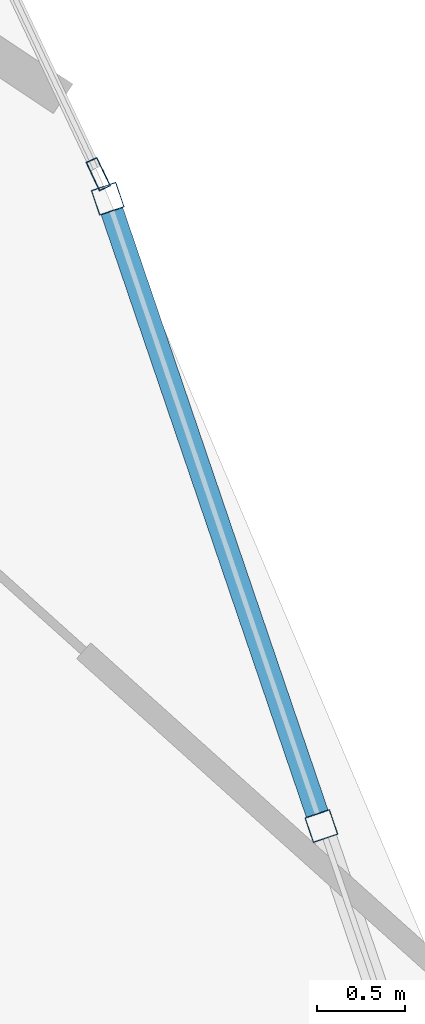
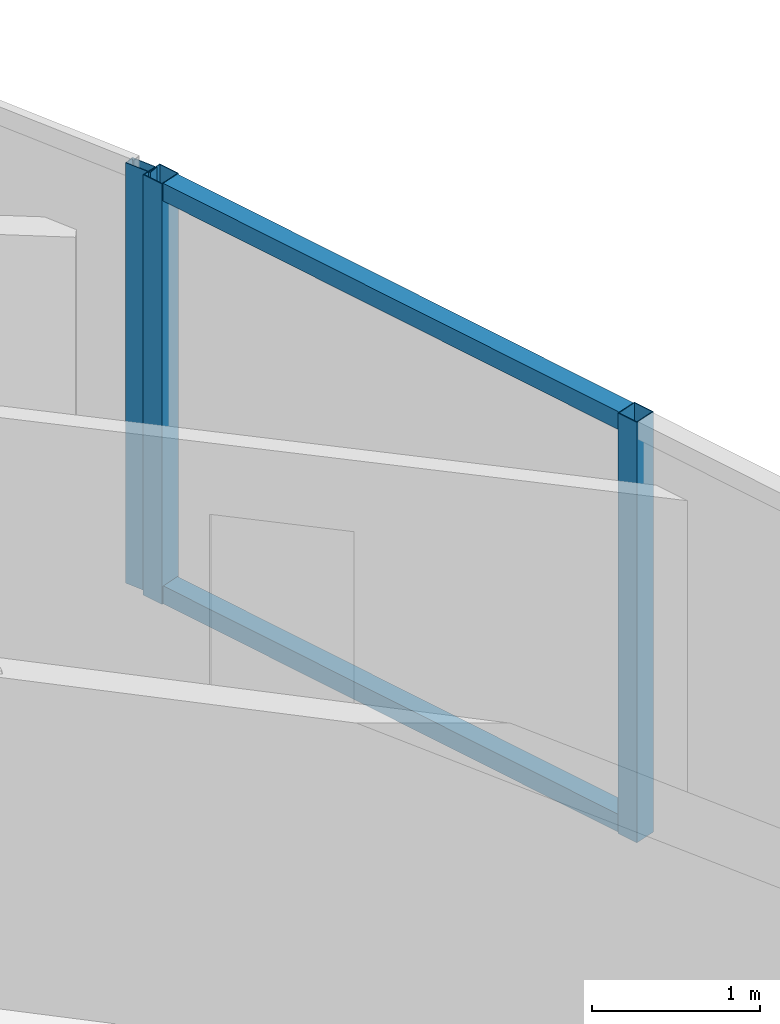
# One storey, part 15 of 33: 5 members, 2 elements without a shape of their own.
"""IFC4 building model written with IfcOpenShell, lengths in metres."""

from ifc_helpers import new_model, si_unit, direction, frame, origin, origin_2d, place, context, subcontext, project, spatial, hollow_rectangle, extrude, material, layer, layer_set, material_profile, profile_set, type_object, element, aggregate, save


model = new_model("IFC4")

# Units and contexts
model_context = context("Model", 3, precision=1e-05, world=origin(), true_north=direction((0.0, 1.0)))
body_context = subcontext(model_context, "Body", "Model", "MODEL_VIEW")
ifc_project = project(units=[si_unit("LENGTHUNIT", "METRE"), si_unit("AREAUNIT", "SQUARE_METRE"), si_unit("VOLUMEUNIT", "CUBIC_METRE"), si_unit("PLANEANGLEUNIT", "RADIAN"), si_unit("MASSUNIT", "GRAM", prefix="KILO")], contexts=[model_context])

# Site, building, storey
site_placement = place(None, origin())
site = spatial("IfcSite", under=ifc_project, at=site_placement, CompositionType="ELEMENT")
building_placement = place(site_placement, origin())
building = spatial("IfcBuilding", under=site, at=building_placement, Name="Orvanel Arch Residences", CompositionType="ELEMENT")
storey_placement = place(building_placement, frame((0.0, 0.0, 90.64990234375)))
storey = spatial("IfcBuildingStorey", under=building, at=storey_placement, Name="L25", CompositionType="ELEMENT", Elevation=90.64990234375)

# Curtain wall, members
ifc_material = material(Name="Bronze-anodised aluminium AA6063-T6", Category="aluminium")
ifc_layer_1 = layer(ifc_material, 0.18994140625)
ifc_layer_set_1 = layer_set([ifc_layer_1], Name="Bronze-anodised aluminium AA6063-T6")
curtain_wall_type_1 = type_object("IfcCurtainWallType", Name="CW5-CRN-SYS", PredefinedType="NOTDEFINED", material=ifc_layer_set_1)
curtain_wall_1_placement = place(storey_placement, origin())
curtain_wall_1 = element("IfcCurtainWall", 1, at=curtain_wall_1_placement, inside=storey, type_object=curtain_wall_type_1, Name="L25 CW5-CRN-SYS Unitised Curtain Wall", PredefinedType="NOTDEFINED")
ifc_material_profile_1 = material_profile(ifc_material, hollow_rectangle(XDim=0.14990234375, YDim=0.14990234375, WallThickness=0.0048828125, at=origin_2d()), Name="ALU150x150x5")
ifc_profile_set_1 = profile_set([ifc_material_profile_1], Name="Bronze-anodised aluminium AA6063-T6")
member_type_1 = type_object("IfcMemberType", Name="MUL-150x150", PredefinedType="MULLION", material=ifc_profile_set_1)
member_1_placement = place(storey_placement, frame((58.85888671875, 10.135498046875, 0.0), z_axis=(0.0, 0.0, 1.0), x_axis=(-0.946590672949, -0.322437742651, 0.0)))
member_1 = element("IfcMember", 2, at=member_1_placement, type_object=member_type_1, Name="CW-S5 mullion 2", PredefinedType="MULLION", context=body_context, shape_type="SweptSolid", body=[
    extrude(hollow_rectangle(XDim=0.14990234375, YDim=0.14990234375, WallThickness=0.0048828125, at=origin_2d()), origin(), (0.0, 0.0, 1.0), 3.06005859375),
])
member_2_placement = place(storey_placement, frame((57.646240234375, 13.696044921875, 0.0), z_axis=(0.0, 0.0, 1.0), x_axis=(-0.946590672949, -0.322437742651, 0.0)))
member_2 = element("IfcMember", 3, at=member_2_placement, type_object=member_type_1, Name="CW-S5 mullion 3", PredefinedType="MULLION", context=body_context, shape_type="SweptSolid", body=[
    extrude(hollow_rectangle(XDim=0.14990234375, YDim=0.14990234375, WallThickness=0.0048828125, at=origin_2d()), origin(), (0.0, 0.0, 1.0), 3.06005859375),
])

# Curtain wall, member
ifc_layer_2 = layer(ifc_material, 0.179931640625)
ifc_layer_set_2 = layer_set([ifc_layer_2], Name="Bronze-anodised aluminium AA6063-T6")
curtain_wall_type_2 = type_object("IfcCurtainWallType", Name="CW2-LOW-SYS", PredefinedType="NOTDEFINED", material=ifc_layer_set_2)
curtain_wall_2_placement = place(storey_placement, origin())
curtain_wall_2 = element("IfcCurtainWall", 4, at=curtain_wall_2_placement, inside=storey, type_object=curtain_wall_type_2, Name="L25 CW2-LOW-SYS Unitised Curtain Wall", PredefinedType="NOTDEFINED")
ifc_material_profile_2 = material_profile(ifc_material, hollow_rectangle(XDim=0.070068359375, YDim=0.179931640625, WallThickness=0.00439453125, at=origin_2d()), Name="ALU180x70x4.5")
ifc_profile_set_2 = profile_set([ifc_material_profile_2], Name="Bronze-anodised aluminium AA6063-T6")
member_type_2 = type_object("IfcMemberType", Name="MUL-180x70", PredefinedType="MULLION", material=ifc_profile_set_2)
member_3_placement = place(storey_placement, frame((57.592041015625, 13.835693359375, 0.0), z_axis=(0.0, 0.0, 1.0), x_axis=(-0.904168484488, -0.427176019527, 0.0)))
member_3 = element("IfcMember", 5, at=member_3_placement, type_object=member_type_2, Name="CW-S2 mullion 1", PredefinedType="MULLION", context=body_context, shape_type="SweptSolid", body=[
    extrude(hollow_rectangle(XDim=0.070068359375, YDim=0.179931640625, WallThickness=0.00439453125, at=origin_2d()), origin(), (0.0, 0.0, 1.0), 3.06005859375),
])
aggregate(curtain_wall_2, [member_3])

# Member
ifc_material_profile_3 = material_profile(ifc_material, hollow_rectangle(XDim=0.1298828125, YDim=0.1298828125, WallThickness=0.00439453125, at=origin_2d()), Name="ALU130x130x4.5")
ifc_profile_set_3 = profile_set([ifc_material_profile_3], Name="Bronze-anodised aluminium AA6063-T6")
member_type_3 = type_object("IfcMemberType", Name="TRN-130x130", PredefinedType="USERDEFINED", material=ifc_profile_set_3)
member_4_placement = place(storey_placement, frame((58.834716796875, 10.20654296875, 0.065185546875), z_axis=(-0.322406874767, 0.946601186933, 0.0), x_axis=(-0.946601186933, -0.322406874767, 0.0)))
member_4 = element("IfcMember", 6, at=member_4_placement, type_object=member_type_3, Name="CW-S5 transom 2.1", ObjectType="TRANSOM", PredefinedType="USERDEFINED", context=body_context, shape_type="SweptSolid", body=[
    extrude(hollow_rectangle(XDim=0.1298828125, YDim=0.1298828125, WallThickness=0.00439453125, at=origin_2d()), origin(), (0.0, 0.0, 1.0), 3.611328125),
])

member_5_placement = place(storey_placement, frame((58.834716796875, 10.20654296875, 2.9951171875), z_axis=(-0.322406874767, 0.946601186933, 0.0), x_axis=(-0.946601186933, -0.322406874767, 0.0)))
member_5 = element("IfcMember", 7, at=member_5_placement, type_object=member_type_3, Name="CW-S5 transom 2.2", ObjectType="TRANSOM", PredefinedType="USERDEFINED", context=body_context, shape_type="SweptSolid", body=[
    extrude(hollow_rectangle(XDim=0.1298828125, YDim=0.1298828125, WallThickness=0.00439453125, at=origin_2d()), origin(), (0.0, 0.0, 1.0), 3.611328125),
])

aggregate(curtain_wall_1, [member_1, member_2, member_4, member_5])

save(model, "model.ifc")
